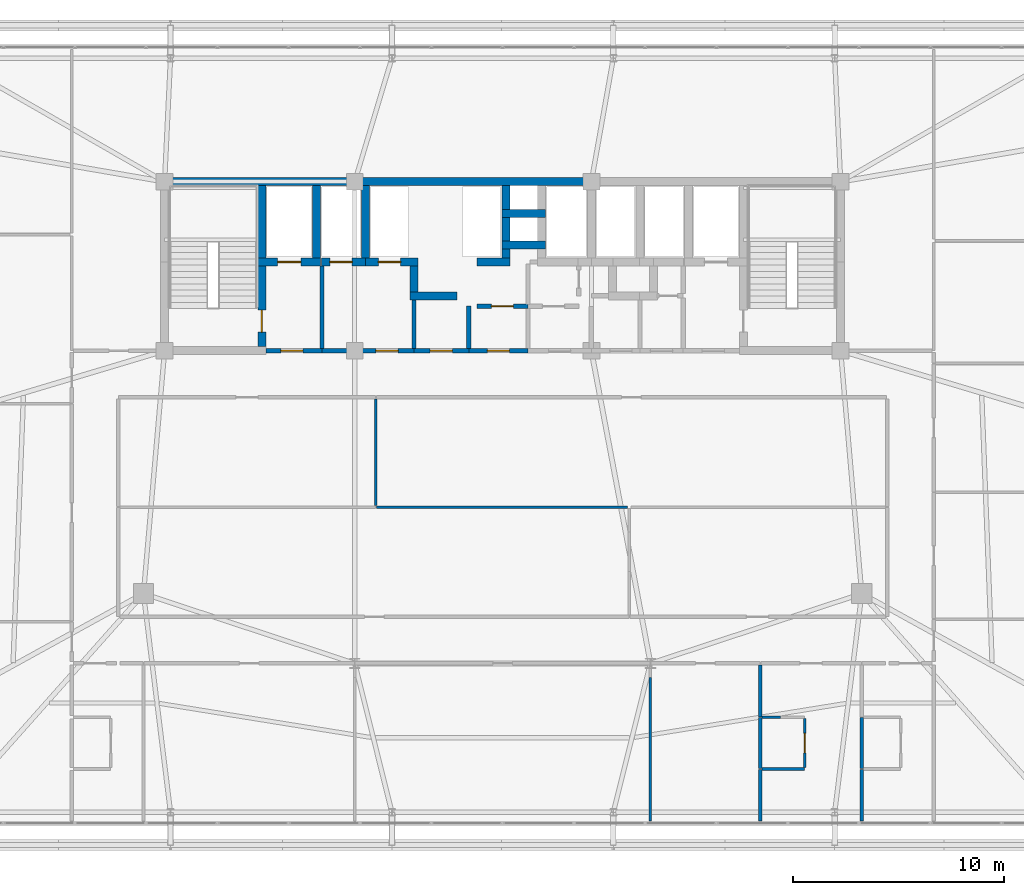
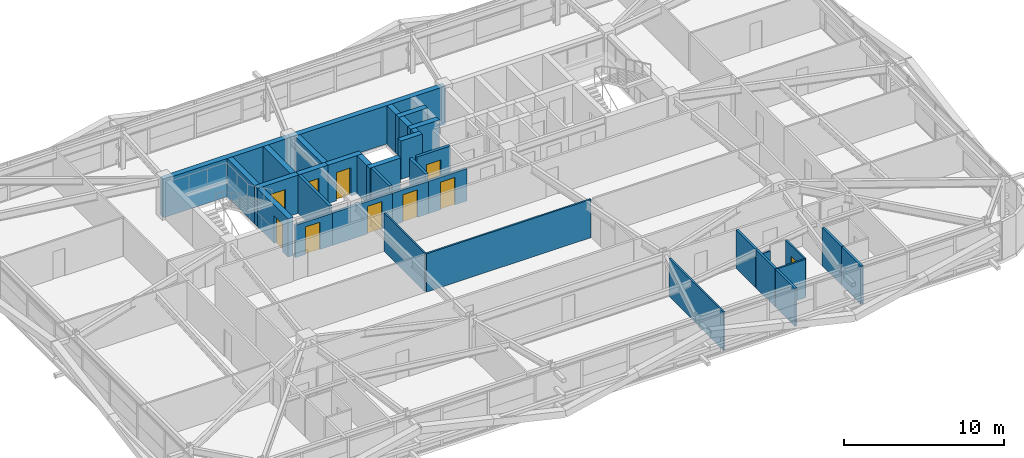
# One storey, part 53 of 59: 36 walls, 10 doors, 10 openings.
"""IFC4 building model written with IfcOpenShell, lengths in metres."""

from ifc_helpers import new_model, si_unit, direction, frame, frame_2d, origin, place, context, subcontext, project, spatial, rectangle, extrude, source, transform, mapped, material, layer, layer_set, type_object, element, fill, save


model = new_model("IFC4")

# Units and contexts
model_context = context("Model", 3, precision=1e-05, world=origin(), true_north=direction((0.0, 1.0)))
body_context = subcontext(model_context, "Body", "Model", "MODEL_VIEW")
ifc_project = project(units=[si_unit("LENGTHUNIT", "METRE"), si_unit("AREAUNIT", "SQUARE_METRE"), si_unit("VOLUMEUNIT", "CUBIC_METRE"), si_unit("PLANEANGLEUNIT", "RADIAN"), si_unit("MASSUNIT", "GRAM", prefix="KILO")], contexts=[model_context])

# Site, building, storey
site_placement = place(None, origin())
site = spatial("IfcSite", under=ifc_project, at=site_placement, CompositionType="ELEMENT")
building_placement = place(site_placement, origin())
building = spatial("IfcBuilding", under=site, at=building_placement, Name="Taldren Reach Tower", CompositionType="ELEMENT")
storey_placement = place(building_placement, frame((0.0, 0.0, 29.39990234375)))
storey = spatial("IfcBuildingStorey", under=building, at=storey_placement, Name="L08", CompositionType="ELEMENT", Elevation=29.39990234375)

# Walls
ifc_material_1 = material(Name="Concrete S80 (80 MPa)", Category="concrete")
ifc_layer_1 = layer(ifc_material_1, 0.3798828125)
ifc_layer_set_1 = layer_set([ifc_layer_1], Name="Concrete S80 (80 MPa)")
wall_type_1 = type_object("IfcWallType", Name="IW-CORE-380", PredefinedType="SHEAR", material=ifc_layer_set_1)
shared_shape_1 = source(origin(), body_context, "Body", "SweptSolid", [
    extrude(rectangle(XDim=9.18994140625, YDim=0.3798828125, at=frame_2d((4.594970703125, 0.0))), origin(), (0.0, 0.0, 1.0), 2.93017578125),
])
wall_1_placement = place(storey_placement, frame((18.81005859375, 32.0, 0.0), z_axis=(0.0, 0.0, 1.0), x_axis=(1.0, 0.0, 0.0)))
element("IfcWall", 1, at=wall_1_placement, inside=storey, type_object=wall_type_1, Name="Rear Core Shear Wall W-CORE-L08-NORTH1", PredefinedType="SHEAR", context=body_context, shape_type="MappedRepresentation", body=[
    mapped(shared_shape_1, transform((0.0, 0.0, 0.0), scale=1.0)),
])
shared_shape_2 = source(origin(), body_context, "Body", "SweptSolid", [
    extrude(rectangle(XDim=11.199951171875, YDim=0.3798828125, at=frame_2d((5.60009765625, 0.0))), origin(), (0.0, 0.0, 1.0), 2.93017578125),
])
wall_2_placement = place(storey_placement, frame((28.0, 32.0, 0.0), z_axis=(0.0, 0.0, 1.0), x_axis=(1.0, 0.0, 0.0)))
element("IfcWall", 2, at=wall_2_placement, inside=storey, type_object=wall_type_1, Name="Rear Core Shear Wall W-CORE-L08-NORTH2", PredefinedType="SHEAR", context=body_context, shape_type="MappedRepresentation", body=[
    mapped(shared_shape_2, transform((0.0, 0.0, 0.0), scale=1.0)),
])
shared_shape_3 = source(origin(), body_context, "Body", "SweptSolid", [
    extrude(rectangle(XDim=3.420166015625, YDim=0.3798828125, at=frame_2d((1.7099609375, 0.0))), origin(), (0.0, 0.0, 1.0), 2.93017578125),
])
for number, where, z_axis, x_axis, name in (
    (3, (23.60009765625, 28.389892578125, 0.0), (0.0, 0.0, 1.0), (0.0, 1.0, 0.0), "Rear Core Shear Wall W-INT-L08-001"),
    (4, (26.199951171875, 28.389892578125, 0.0), (0.0, 0.0, 1.0), (0.0, 1.0, 0.0), "Rear Core Shear Wall W-INT-L08-005"),
    (5, (28.5, 28.389892578125, 0.0), (0.0, 0.0, 1.0), (0.0, 1.0, 0.0), "Rear Core Shear Wall W-INT-L08-030"),
):
    element("IfcWall", number, at=place(storey_placement, frame(where, z_axis=z_axis, x_axis=x_axis)), inside=storey, type_object=wall_type_1, Name=name, PredefinedType="SHEAR", context=body_context, shape_type="MappedRepresentation", body=[
        mapped(shared_shape_3, transform((0.0, 0.0, 0.0), scale=1.0)),
    ])

# Wall, opening, door
shared_shape_4 = source(origin(), body_context, "Body", "SweptSolid", [
    extrude(rectangle(XDim=3.820068359375, YDim=0.3798828125, at=frame_2d((1.91015625, 0.0))), origin(), (0.0, 0.0, 1.0), 2.93017578125),
])
wall_3_placement = place(storey_placement, frame((23.60009765625, 24.18994140625, 0.0), z_axis=(0.0, 0.0, 1.0), x_axis=(0.0, 1.0, 0.0)))
wall_3 = element("IfcWall", 6, at=wall_3_placement, inside=storey, type_object=wall_type_1, Name="Rear Core Shear Wall W-INT-L08-002", PredefinedType="SHEAR", context=body_context, shape_type="MappedRepresentation", body=[
    mapped(shared_shape_4, transform((0.0, 0.0, 0.0), scale=1.0)),
])
shared_shape_5 = source(origin(), body_context, "Body", "SweptSolid", [
    extrude(rectangle(XDim=1.050048828125, YDim=2.10009765625, at=frame_2d((0.52490234375, 1.050048828125))), frame((0.0, 0.199951171875, 0.0), z_axis=(0.0, -1.0, 0.0), x_axis=(1.0, 0.0, 0.0)), (0.0, 0.0, 1.0), 0.39990234375),
])
opening_1_placement = place(wall_3_placement, frame((0.68505859375, 0.0, 0.0)))
opening_1 = element("IfcOpeningElement", 7, at=opening_1_placement, cuts=wall_3, Name="Opening DF-105", PredefinedType="OPENING", context=body_context, shape_type="MappedRepresentation", body=[
    mapped(shared_shape_5, transform((0.0, 0.0, 0.0), scale=1.0)),
])
ifc_material_2 = material(Name="Fire-Rated Care and Stair Exit Door")
door_type_1 = type_object("IfcDoorType", Name="ID-FIRE-105", OperationType="NOTDEFINED", PredefinedType="DOOR", material=ifc_material_2)
shared_shape_6 = source(origin(), body_context, "Body", "SweptSolid", [
    extrude(rectangle(XDim=1.050048828125, YDim=2.10009765625, at=frame_2d((0.52490234375, 1.050048828125))), frame((0.0, 0.02490234375, 0.0), z_axis=(0.0, -1.0, 0.0), x_axis=(1.0, 0.0, 0.0)), (0.0, 0.0, 1.0), 0.050048828125),
])
door_1_placement = place(opening_1_placement, origin())
door_1 = element("IfcDoor", 8, at=door_1_placement, inside=storey, type_object=door_type_1, Name="Fire Exit Stair Door DR-L08-001", OperationType="SINGLE_SWING_LEFT", OverallHeight=2.10009765625, OverallWidth=1.050048828125, PredefinedType="DOOR", context=body_context, shape_type="MappedRepresentation", body=[
    mapped(shared_shape_6, transform((0.0, 0.0, 0.0), scale=1.0)),
])
fill(opening_1, door_1)

shared_shape_7 = source(origin(), body_context, "Body", "SweptSolid", [
    extrude(rectangle(XDim=2.97998046875, YDim=0.3798828125, at=frame_2d((1.489990234375, 0.0))), origin(), (0.0, 0.0, 1.0), 2.93017578125),
])
wall_4_placement = place(storey_placement, frame((23.409912109375, 28.199951171875, 0.0), z_axis=(0.0, 0.0, 1.0), x_axis=(1.0, 0.0, 0.0)))
wall_4 = element("IfcWall", 9, at=wall_4_placement, inside=storey, type_object=wall_type_1, Name="Rear Core Shear Wall W-INT-L08-004", PredefinedType="SHEAR", context=body_context, shape_type="MappedRepresentation", body=[
    mapped(shared_shape_7, transform((0.0, 0.0, 0.0), scale=1.0)),
])
shared_shape_8 = source(origin(), body_context, "Body", "SweptSolid", [
    extrude(rectangle(XDim=1.10009765625, YDim=2.14990234375, at=frame_2d((0.550048828125, 1.074951171875))), frame((0.0, 0.199951171875, 0.0), z_axis=(0.0, -1.0, 0.0), x_axis=(1.0, 0.0, 0.0)), (0.0, 0.0, 1.0), 0.39990234375),
])
opening_2_placement = place(wall_4_placement, frame((0.93994140625, 0.0, 0.0)))
opening_2 = element("IfcOpeningElement", 10, at=opening_2_placement, cuts=wall_4, Name="Opening LD-FL1", PredefinedType="OPENING", context=body_context, shape_type="MappedRepresentation", body=[
    mapped(shared_shape_8, transform((0.0, 0.0, 0.0), scale=1.0)),
])
ifc_material_3 = material(Name="Stainless Steel Gr 316 Emergency Lift Landing Door", Category="steel")
door_type_2 = type_object("IfcDoorType", Name="LD-EMG-110", OperationType="SLIDING_TO_LEFT", PredefinedType="DOOR", material=ifc_material_3)
shared_shape_9 = source(origin(), body_context, "Body", "SweptSolid", [
    extrude(rectangle(XDim=1.10009765625, YDim=2.14990234375, at=frame_2d((0.550048828125, 1.074951171875))), frame((0.0, 0.02490234375, 0.0), z_axis=(0.0, -1.0, 0.0), x_axis=(1.0, 0.0, 0.0)), (0.0, 0.0, 1.0), 0.050048828125),
])
door_2_placement = place(opening_2_placement, origin())
door_2 = element("IfcDoor", 11, at=door_2_placement, inside=storey, type_object=door_type_2, Name="Lift Landing Door LD-FL1-L08", OperationType="SLIDING_TO_LEFT", OverallHeight=2.14990234375, OverallWidth=1.10009765625, PredefinedType="DOOR", context=body_context, shape_type="MappedRepresentation", body=[
    mapped(shared_shape_9, transform((0.0, 0.0, 0.0), scale=1.0)),
])
fill(opening_2, door_2)

# Wall
ifc_material_4 = material(Name="Concrete S50 (50 MPa)", Category="concrete")
ifc_layer_2 = layer(ifc_material_4, 0.199951171875)
ifc_layer_set_2 = layer_set([ifc_layer_2], Name="Concrete S50 (50 MPa)")
wall_type_2 = type_object("IfcWallType", Name="IW-CORE-200", PredefinedType="SOLIDWALL", material=ifc_layer_set_2)
shared_shape_10 = source(origin(), body_context, "Body", "SweptSolid", [
    extrude(rectangle(XDim=3.909912109375, YDim=0.199951171875, at=frame_2d((1.955078125, 0.0))), origin(), (0.0, 0.0, 1.0), 2.93017578125),
])
wall_5_placement = place(storey_placement, frame((26.449951171875, 24.10009765625, 0.0), z_axis=(0.0, 0.0, 1.0), x_axis=(0.0, 1.0, 0.0)))
element("IfcWall", 12, at=wall_5_placement, inside=storey, type_object=wall_type_2, Name="Rear Core Shear Wall W-INT-L08-006", PredefinedType="SOLIDWALL", context=body_context, shape_type="MappedRepresentation", body=[
    mapped(shared_shape_10, transform((0.0, 0.0, 0.0), scale=1.0)),
])

# Wall, opening, door
shared_shape_11 = source(origin(), body_context, "Body", "SweptSolid", [
    extrude(rectangle(XDim=2.659912109375, YDim=0.199951171875, at=frame_2d((1.330078125, 0.0))), origin(), (0.0, 0.0, 1.0), 2.47021484375),
])
wall_6_placement = place(storey_placement, frame((23.7900390625, 24.0, 0.0), z_axis=(0.0, 0.0, 1.0), x_axis=(1.0, 0.0, 0.0)))
wall_6 = element("IfcWall", 13, at=wall_6_placement, inside=storey, type_object=wall_type_2, Name="Rear Core Shear Wall W-INT-L08-007", PredefinedType="SOLIDWALL", context=body_context, shape_type="MappedRepresentation", body=[
    mapped(shared_shape_11, transform((0.0, 0.0, 0.0), scale=1.0)),
])
shared_shape_12 = source(origin(), body_context, "Body", "SweptSolid", [
    extrude(rectangle(XDim=1.050048828125, YDim=2.10009765625, at=frame_2d((0.52490234375, 1.050048828125))), frame((0.0, 0.10986328125, 0.0), z_axis=(0.0, -1.0, 0.0), x_axis=(1.0, 0.0, 0.0)), (0.0, 0.0, 1.0), 0.219970703125),
])
opening_3_placement = place(wall_6_placement, frame((0.7099609375, 0.0, 0.0)))
opening_3 = element("IfcOpeningElement", 14, at=opening_3_placement, cuts=wall_6, Name="Opening DF-105", PredefinedType="OPENING", context=body_context, shape_type="MappedRepresentation", body=[
    mapped(shared_shape_12, transform((0.0, 0.0, 0.0), scale=1.0)),
])
door_3_placement = place(opening_3_placement, origin())
door_3 = element("IfcDoor", 15, at=door_3_placement, inside=storey, type_object=door_type_1, Name="Interior Door DR-L08-002", OperationType="SINGLE_SWING_LEFT", OverallHeight=2.10009765625, OverallWidth=1.050048828125, PredefinedType="DOOR", context=body_context, shape_type="MappedRepresentation", body=[
    mapped(shared_shape_6, transform((0.0, 0.0, 0.0), scale=1.0)),
])
fill(opening_3, door_3)

# Walls
shared_shape_13 = source(origin(), body_context, "Body", "SweptSolid", [
    extrude(rectangle(XDim=2.080078125, YDim=0.3798828125, at=frame_2d((1.0400390625, 0.0))), origin(), (0.0, 0.0, 1.0), 2.93017578125),
])
for number, where, z_axis, x_axis, name in (
    (16, (34.9599609375, 30.5, 0.0), (0.0, 0.0, 1.0), (1.0, 0.0, 0.0), "Rear Core Shear Wall W-INT-L08-016"),
    (17, (34.9599609375, 29.0, 0.0), (0.0, 0.0, 1.0), (1.0, 0.0, 0.0), "Rear Core Shear Wall W-INT-L08-021"),
):
    element("IfcWall", number, at=place(storey_placement, frame(where, z_axis=z_axis, x_axis=x_axis)), inside=storey, type_object=wall_type_1, Name=name, PredefinedType="SHEAR", context=body_context, shape_type="MappedRepresentation", body=[
        mapped(shared_shape_13, transform((0.0, 0.0, 0.0), scale=1.0)),
    ])
shared_shape_14 = source(origin(), body_context, "Body", "SweptSolid", [
    extrude(rectangle(XDim=1.1201171875, YDim=0.3798828125, at=frame_2d((0.56005859375, 0.0))), origin(), (0.0, 0.0, 1.0), 2.93017578125),
])
for number, where, z_axis, x_axis, name in (
    (18, (35.14990234375, 31.81005859375, 0.0), (0.0, 0.0, 1.0), (0.0, -1.0, 0.0), "Rear Core Shear Wall W-INT-L08-017"),
    (19, (35.14990234375, 30.31005859375, 0.0), (0.0, 0.0, 1.0), (0.0, -1.0, 0.0), "Rear Core Shear Wall W-INT-L08-019"),
):
    element("IfcWall", number, at=place(storey_placement, frame(where, z_axis=z_axis, x_axis=x_axis)), inside=storey, type_object=wall_type_1, Name=name, PredefinedType="SHEAR", context=body_context, shape_type="MappedRepresentation", body=[
        mapped(shared_shape_14, transform((0.0, 0.0, 0.0), scale=1.0)),
    ])
shared_shape_15 = source(origin(), body_context, "Body", "SweptSolid", [
    extrude(rectangle(XDim=1.219970703125, YDim=0.3798828125, at=frame_2d((0.60986328125, 0.0))), origin(), (0.0, 0.0, 1.0), 2.93017578125),
])
wall_7_placement = place(storey_placement, frame((30.800048828125, 28.010009765625, 0.0), z_axis=(0.0, 0.0, 1.0), x_axis=(0.0, -1.0, 0.0)))
element("IfcWall", 20, at=wall_7_placement, inside=storey, type_object=wall_type_1, Name="Rear Core Shear Wall W-INT-L08-022", PredefinedType="SHEAR", context=body_context, shape_type="MappedRepresentation", body=[
    mapped(shared_shape_15, transform((0.0, 0.0, 0.0), scale=1.0)),
])
shared_shape_16 = source(origin(), body_context, "Body", "SweptSolid", [
    extrude(rectangle(XDim=2.239990234375, YDim=0.3798828125, at=frame_2d((1.1201171875, 0.0))), origin(), (0.0, 0.0, 1.0), 2.93017578125),
])
wall_8_placement = place(storey_placement, frame((30.610107421875, 26.60009765625, 0.0), z_axis=(0.0, 0.0, 1.0), x_axis=(1.0, 0.0, 0.0)))
element("IfcWall", 21, at=wall_8_placement, inside=storey, type_object=wall_type_1, Name="Rear Core Shear Wall W-INT-L08-023", PredefinedType="SHEAR", context=body_context, shape_type="MappedRepresentation", body=[
    mapped(shared_shape_16, transform((0.0, 0.0, 0.0), scale=1.0)),
])

# Wall, opening, door
shared_shape_17 = source(origin(), body_context, "Body", "SweptSolid", [
    extrude(rectangle(XDim=2.070068359375, YDim=0.3798828125, at=frame_2d((1.03515625, 0.0))), origin(), (0.0, 0.0, 1.0), 2.93017578125),
])
wall_9_placement = place(storey_placement, frame((26.429931640625, 28.199951171875, 0.0), z_axis=(0.0, 0.0, 1.0), x_axis=(1.0, 0.0, 0.0)))
wall_9 = element("IfcWall", 22, at=wall_9_placement, inside=storey, type_object=wall_type_1, Name="Rear Core Shear Wall W-INT-L08-031", PredefinedType="SHEAR", context=body_context, shape_type="MappedRepresentation", body=[
    mapped(shared_shape_17, transform((0.0, 0.0, 0.0), scale=1.0)),
])
shared_shape_18 = source(origin(), body_context, "Body", "SweptSolid", [
    extrude(rectangle(XDim=1.050048828125, YDim=2.14990234375, at=frame_2d((0.52490234375, 1.074951171875))), frame((0.0, 0.199951171875, 0.0), z_axis=(0.0, -1.0, 0.0), x_axis=(1.0, 0.0, 0.0)), (0.0, 0.0, 1.0), 0.39990234375),
])
opening_4_placement = place(wall_9_placement, frame((0.39501953125, 0.0, 0.0)))
opening_4 = element("IfcOpeningElement", 23, at=opening_4_placement, cuts=wall_9, Name="Opening LD-PL1", PredefinedType="OPENING", context=body_context, shape_type="MappedRepresentation", body=[
    mapped(shared_shape_18, transform((0.0, 0.0, 0.0), scale=1.0)),
])
ifc_material_5 = material(Name="Stainless Steel Gr 316 Passenger Lift Landing Door", Category="steel")
door_type_3 = type_object("IfcDoorType", Name="LD-PAS-105", OperationType="SLIDING_TO_LEFT", PredefinedType="DOOR", material=ifc_material_5)
shared_shape_19 = source(origin(), body_context, "Body", "SweptSolid", [
    extrude(rectangle(XDim=1.050048828125, YDim=2.14990234375, at=frame_2d((0.52490234375, 1.074951171875))), frame((0.0, 0.02490234375, 0.0), z_axis=(0.0, -1.0, 0.0), x_axis=(1.0, 0.0, 0.0)), (0.0, 0.0, 1.0), 0.050048828125),
])
door_4_placement = place(opening_4_placement, origin())
door_4 = element("IfcDoor", 24, at=door_4_placement, inside=storey, type_object=door_type_3, Name="Lift Landing Door LD-PL1-L08", OperationType="SLIDING_TO_LEFT", OverallHeight=2.14990234375, OverallWidth=1.050048828125, PredefinedType="DOOR", context=body_context, shape_type="MappedRepresentation", body=[
    mapped(shared_shape_19, transform((0.0, 0.0, 0.0), scale=1.0)),
])
fill(opening_4, door_4)

shared_shape_20 = source(origin(), body_context, "Body", "SweptSolid", [
    extrude(rectangle(XDim=2.489990234375, YDim=0.3798828125, at=frame_2d((1.2451171875, 0.0))), origin(), (0.0, 0.0, 1.0), 2.93017578125),
])
wall_10_placement = place(storey_placement, frame((28.5, 28.199951171875, 0.0), z_axis=(0.0, 0.0, 1.0), x_axis=(1.0, 0.0, 0.0)))
wall_10 = element("IfcWall", 25, at=wall_10_placement, inside=storey, type_object=wall_type_1, Name="Rear Core Shear Wall W-INT-L08-032", PredefinedType="SHEAR", context=body_context, shape_type="MappedRepresentation", body=[
    mapped(shared_shape_20, transform((0.0, 0.0, 0.0), scale=1.0)),
])
opening_5_placement = place(wall_10_placement, frame((0.625, 0.0, 0.0)))
opening_5 = element("IfcOpeningElement", 26, at=opening_5_placement, cuts=wall_10, Name="Opening LD-PL2", PredefinedType="OPENING", context=body_context, shape_type="MappedRepresentation", body=[
    mapped(shared_shape_18, transform((0.0, 0.0, 0.0), scale=1.0)),
])
door_5_placement = place(opening_5_placement, origin())
door_5 = element("IfcDoor", 27, at=door_5_placement, inside=storey, type_object=door_type_3, Name="Lift Landing Door LD-PL2-L08", OperationType="SLIDING_TO_LEFT", OverallHeight=2.14990234375, OverallWidth=1.050048828125, PredefinedType="DOOR", context=body_context, shape_type="MappedRepresentation", body=[
    mapped(shared_shape_19, transform((0.0, 0.0, 0.0), scale=1.0)),
])
fill(opening_5, door_5)

# Wall
shared_shape_21 = source(origin(), body_context, "Body", "SweptSolid", [
    extrude(rectangle(XDim=2.309814453125, YDim=0.199951171875, at=frame_2d((1.15478515625, 0.0))), origin(), (0.0, 0.0, 1.0), 2.93017578125),
])
wall_11_placement = place(storey_placement, frame((30.800048828125, 26.409912109375, 0.0), z_axis=(0.0, 0.0, 1.0), x_axis=(0.0, -1.0, 0.0)))
element("IfcWall", 28, at=wall_11_placement, inside=storey, type_object=wall_type_2, Name="Rear Core Shear Wall W-INT-L08-033", PredefinedType="SOLIDWALL", context=body_context, shape_type="MappedRepresentation", body=[
    mapped(shared_shape_21, transform((0.0, 0.0, 0.0), scale=1.0)),
])

# Wall, opening, door
shared_shape_22 = source(origin(), body_context, "Body", "SweptSolid", [
    extrude(rectangle(XDim=4.35009765625, YDim=0.199951171875, at=frame_2d((2.175048828125, 0.0))), origin(), (0.0, 0.0, 1.0), 2.47021484375),
])
wall_12_placement = place(storey_placement, frame((30.800048828125, 24.0, 0.0), z_axis=(0.0, 0.0, 1.0), x_axis=(-1.0, 0.0, 0.0)))
wall_12 = element("IfcWall", 29, at=wall_12_placement, inside=storey, type_object=wall_type_2, Name="Rear Core Shear Wall W-INT-L08-034", PredefinedType="SOLIDWALL", context=body_context, shape_type="MappedRepresentation", body=[
    mapped(shared_shape_22, transform((0.0, 0.0, 0.0), scale=1.0)),
])
opening_6_placement = place(wall_12_placement, frame((0.75, 0.0, 0.0)))
opening_6 = element("IfcOpeningElement", 30, at=opening_6_placement, cuts=wall_12, Name="Opening DF-105", PredefinedType="OPENING", context=body_context, shape_type="MappedRepresentation", body=[
    mapped(shared_shape_12, transform((0.0, 0.0, 0.0), scale=1.0)),
])
door_6_placement = place(opening_6_placement, frame((1.050048828125, 0.0, 0.0), z_axis=(0.0, 0.0, 1.0), x_axis=(-1.0, 0.0, 0.0)))
door_6 = element("IfcDoor", 31, at=door_6_placement, inside=storey, type_object=door_type_1, Name="Interior Door DR-L08-005", OperationType="SINGLE_SWING_RIGHT", OverallHeight=2.10009765625, OverallWidth=1.050048828125, PredefinedType="DOOR", context=body_context, shape_type="MappedRepresentation", body=[
    mapped(shared_shape_6, transform((0.0, 0.0, 0.0), scale=1.0)),
])
fill(opening_6, door_6)

# Walls
shared_shape_23 = source(origin(), body_context, "Body", "SweptSolid", [
    extrude(rectangle(XDim=1.56005859375, YDim=0.3798828125, at=frame_2d((0.780029296875, 0.0))), origin(), (0.0, 0.0, 1.0), 2.93017578125),
])
wall_13_placement = place(storey_placement, frame((33.780029296875, 28.199951171875, 0.0), z_axis=(0.0, 0.0, 1.0), x_axis=(1.0, 0.0, 0.0)))
element("IfcWall", 32, at=wall_13_placement, inside=storey, type_object=wall_type_1, Name="Rear Core Shear Wall W-INT-L08-035", PredefinedType="SHEAR", context=body_context, shape_type="MappedRepresentation", body=[
    mapped(shared_shape_23, transform((0.0, 0.0, 0.0), scale=1.0)),
])
shared_shape_24 = source(origin(), body_context, "Body", "SweptSolid", [
    extrude(rectangle(XDim=0.420166015625, YDim=0.3798828125, at=frame_2d((0.2099609375, 0.0))), origin(), (0.0, 0.0, 1.0), 2.93017578125),
])
wall_14_placement = place(storey_placement, frame((35.14990234375, 28.389892578125, 0.0), z_axis=(0.0, 0.0, 1.0), x_axis=(0.0, 1.0, 0.0)))
element("IfcWall", 33, at=wall_14_placement, inside=storey, type_object=wall_type_1, Name="Rear Core Shear Wall W-INT-L08-036", PredefinedType="SHEAR", context=body_context, shape_type="MappedRepresentation", body=[
    mapped(shared_shape_24, transform((0.0, 0.0, 0.0), scale=1.0)),
])
shared_shape_25 = source(origin(), body_context, "Body", "SweptSolid", [
    extrude(rectangle(XDim=2.02001953125, YDim=0.199951171875, at=frame_2d((1.010009765625, 0.0))), origin(), (0.0, 0.0, 1.0), 2.93017578125),
])
wall_15_placement = place(storey_placement, frame((33.39990234375, 26.1201171875, 0.0), z_axis=(0.0, 0.0, 1.0), x_axis=(0.0, -1.0, 0.0)))
element("IfcWall", 34, at=wall_15_placement, inside=storey, type_object=wall_type_2, Name="Rear Core Shear Wall W-INT-L08-044", PredefinedType="SOLIDWALL", context=body_context, shape_type="MappedRepresentation", body=[
    mapped(shared_shape_25, transform((0.0, 0.0, 0.0), scale=1.0)),
])

# Wall, opening, door
shared_shape_26 = source(origin(), body_context, "Body", "SweptSolid", [
    extrude(rectangle(XDim=2.599853515625, YDim=0.199951171875, at=frame_2d((1.2998046875, 0.0))), origin(), (0.0, 0.0, 1.0), 2.47021484375),
])
wall_16_placement = place(storey_placement, frame((33.39990234375, 24.0, 0.0), z_axis=(0.0, 0.0, 1.0), x_axis=(-1.0, 0.0, 0.0)))
wall_16 = element("IfcWall", 35, at=wall_16_placement, inside=storey, type_object=wall_type_2, Name="Rear Core Shear Wall W-INT-L08-045", PredefinedType="SOLIDWALL", context=body_context, shape_type="MappedRepresentation", body=[
    mapped(shared_shape_26, transform((0.0, 0.0, 0.0), scale=1.0)),
])
opening_7_placement = place(wall_16_placement, frame((0.77490234375, 0.0, 0.0)))
opening_7 = element("IfcOpeningElement", 36, at=opening_7_placement, cuts=wall_16, Name="Opening DF-105", PredefinedType="OPENING", context=body_context, shape_type="MappedRepresentation", body=[
    mapped(shared_shape_12, transform((0.0, 0.0, 0.0), scale=1.0)),
])
door_7_placement = place(opening_7_placement, frame((1.050048828125, 0.0, 0.0), z_axis=(0.0, 0.0, 1.0), x_axis=(-1.0, 0.0, 0.0)))
door_7 = element("IfcDoor", 37, at=door_7_placement, inside=storey, type_object=door_type_1, Name="Interior Door DR-L08-006", OperationType="SINGLE_SWING_RIGHT", OverallHeight=2.10009765625, OverallWidth=1.050048828125, PredefinedType="DOOR", context=body_context, shape_type="MappedRepresentation", body=[
    mapped(shared_shape_6, transform((0.0, 0.0, 0.0), scale=1.0)),
])
fill(opening_7, door_7)

shared_shape_27 = source(origin(), body_context, "Body", "SweptSolid", [
    extrude(rectangle(XDim=2.419921875, YDim=0.199951171875, at=frame_2d((1.2099609375, 0.0))), origin(), (0.0, 0.0, 1.0), 2.93017578125),
])
wall_17_placement = place(storey_placement, frame((33.780029296875, 26.10009765625, 0.0), z_axis=(0.0, 0.0, 1.0), x_axis=(1.0, 0.0, 0.0)))
wall_17 = element("IfcWall", 38, at=wall_17_placement, inside=storey, type_object=wall_type_2, Name="Rear Core Shear Wall W-INT-L08-046", PredefinedType="SOLIDWALL", context=body_context, shape_type="MappedRepresentation", body=[
    mapped(shared_shape_27, transform((0.0, 0.0, 0.0), scale=1.0)),
])
opening_8_placement = place(wall_17_placement, frame((0.68505859375, 0.0, 0.0)))
opening_8 = element("IfcOpeningElement", 39, at=opening_8_placement, cuts=wall_17, Name="Opening DF-105", PredefinedType="OPENING", context=body_context, shape_type="MappedRepresentation", body=[
    mapped(shared_shape_12, transform((0.0, 0.0, 0.0), scale=1.0)),
])
door_8_placement = place(opening_8_placement, origin())
door_8 = element("IfcDoor", 40, at=door_8_placement, inside=storey, type_object=door_type_1, Name="Interior Door DR-L08-007", OperationType="SINGLE_SWING_RIGHT", OverallHeight=2.10009765625, OverallWidth=1.050048828125, PredefinedType="DOOR", context=body_context, shape_type="MappedRepresentation", body=[
    mapped(shared_shape_6, transform((0.0, 0.0, 0.0), scale=1.0)),
])
fill(opening_8, door_8)

shared_shape_28 = source(origin(), body_context, "Body", "SweptSolid", [
    extrude(rectangle(XDim=2.800048828125, YDim=0.199951171875, at=frame_2d((1.39990234375, 0.0))), origin(), (0.0, 0.0, 1.0), 2.47021484375),
])
wall_18_placement = place(storey_placement, frame((36.199951171875, 24.0, 0.0), z_axis=(0.0, 0.0, 1.0), x_axis=(-1.0, 0.0, 0.0)))
wall_18 = element("IfcWall", 41, at=wall_18_placement, inside=storey, type_object=wall_type_2, Name="Rear Core Shear Wall W-INT-L08-048", PredefinedType="SOLIDWALL", context=body_context, shape_type="MappedRepresentation", body=[
    mapped(shared_shape_28, transform((0.0, 0.0, 0.0), scale=1.0)),
])
opening_9_placement = place(wall_18_placement, frame((0.875, 0.0, 0.0)))
opening_9 = element("IfcOpeningElement", 42, at=opening_9_placement, cuts=wall_18, Name="Opening DF-105", PredefinedType="OPENING", context=body_context, shape_type="MappedRepresentation", body=[
    mapped(shared_shape_12, transform((0.0, 0.0, 0.0), scale=1.0)),
])
door_9_placement = place(opening_9_placement, frame((1.050048828125, 0.0, 0.0), z_axis=(0.0, 0.0, 1.0), x_axis=(-1.0, 0.0, 0.0)))
door_9 = element("IfcDoor", 43, at=door_9_placement, inside=storey, type_object=door_type_1, Name="Interior Door DR-L08-008", OperationType="SINGLE_SWING_RIGHT", OverallHeight=2.10009765625, OverallWidth=1.050048828125, PredefinedType="DOOR", context=body_context, shape_type="MappedRepresentation", body=[
    mapped(shared_shape_6, transform((0.0, 0.0, 0.0), scale=1.0)),
])
fill(opening_9, door_9)

# Walls
ifc_material_6 = material(Name="Insulated Residential Stud Partition", Category="gypsum")
ifc_layer_3 = layer(ifc_material_6, 0.1201171875)
ifc_layer_set_3 = layer_set([ifc_layer_3], Name="Insulated Residential Stud Partition")
wall_type_3 = type_object("IfcWallType", Name="IW-PART-120", PredefinedType="PARTITIONING", material=ifc_layer_set_3)
shared_shape_29 = source(origin(), body_context, "Body", "SweptSolid", [
    extrude(rectangle(XDim=11.899658203125, YDim=0.1201171875, at=frame_2d((5.94970703125, 0.0))), origin(), (0.0, 0.0, 1.0), 2.93017578125),
])
wall_19_placement = place(storey_placement, frame((29.020263671875, 16.60009765625, 0.0), z_axis=(0.0, 0.0, 1.0), x_axis=(1.0, 0.0, 0.0)))
element("IfcWall", 44, at=wall_19_placement, inside=storey, type_object=wall_type_3, Name="Interior Partition Wall W-INT-L08-087", PredefinedType="PARTITIONING", context=body_context, shape_type="MappedRepresentation", body=[
    mapped(shared_shape_29, transform((0.0, 0.0, 0.0), scale=1.0)),
])
shared_shape_30 = source(origin(), body_context, "Body", "SweptSolid", [
    extrude(rectangle(XDim=5.0400390625, YDim=0.1201171875, at=frame_2d((2.52001953125, 0.0))), origin(), (0.0, 0.0, 1.0), 2.93017578125),
])
wall_20_placement = place(storey_placement, frame((29.0, 21.719970703125, 0.0), z_axis=(0.0, 0.0, 1.0), x_axis=(0.0, -1.0, 0.0)))
element("IfcWall", 45, at=wall_20_placement, inside=storey, type_object=wall_type_3, Name="Interior Partition Wall W-INT-L08-089", PredefinedType="PARTITIONING", context=body_context, shape_type="MappedRepresentation", body=[
    mapped(shared_shape_30, transform((0.0, 0.0, 0.0), scale=1.0)),
])

# Wall, opening, door
shared_shape_31 = source(origin(), body_context, "Body", "SweptSolid", [
    extrude(rectangle(XDim=2.330078125, YDim=0.1201171875, at=frame_2d((1.1650390625, 0.0))), origin(), (0.0, 0.0, 1.0), 2.93017578125),
])
wall_21_placement = place(storey_placement, frame((49.31201171875, 4.260009765625, 0.0), z_axis=(0.0, 0.0, 1.0), x_axis=(0.0, 1.0, 0.0)))
wall_21 = element("IfcWall", 46, at=wall_21_placement, inside=storey, type_object=wall_type_3, Name="Interior Partition Wall W-INT-L08-102", PredefinedType="PARTITIONING", context=body_context, shape_type="MappedRepresentation", body=[
    mapped(shared_shape_31, transform((0.0, 0.0, 0.0), scale=1.0)),
])
shared_shape_32 = source(origin(), body_context, "Body", "SweptSolid", [
    extrude(rectangle(XDim=0.919921875, YDim=2.10009765625, at=frame_2d((0.4599609375, 1.050048828125))), frame((0.0, 0.070068359375, 0.0), z_axis=(0.0, -1.0, 0.0), x_axis=(1.0, 0.0, 0.0)), (0.0, 0.0, 1.0), 0.14013671875),
])
opening_10_placement = place(wall_21_placement, frame((0.705078125, 0.0, 0.0)))
opening_10 = element("IfcOpeningElement", 47, at=opening_10_placement, cuts=wall_21, Name="Opening DI-092", PredefinedType="OPENING", context=body_context, shape_type="MappedRepresentation", body=[
    mapped(shared_shape_32, transform((0.0, 0.0, 0.0), scale=1.0)),
])
ifc_material_7 = material(Name="Solid-Core Timber Suite Door", Category="wood")
door_type_4 = type_object("IfcDoorType", Name="ID-INT-092", OperationType="NOTDEFINED", PredefinedType="DOOR", material=ifc_material_7)
shared_shape_33 = source(origin(), body_context, "Body", "SweptSolid", [
    extrude(rectangle(XDim=0.919921875, YDim=2.10009765625, at=frame_2d((0.4599609375, 1.050048828125))), frame((0.0, 0.02490234375, 0.0), z_axis=(0.0, -1.0, 0.0), x_axis=(1.0, 0.0, 0.0)), (0.0, 0.0, 1.0), 0.050048828125),
])
door_10_placement = place(opening_10_placement, origin())
door_10 = element("IfcDoor", 48, at=door_10_placement, inside=storey, type_object=door_type_4, Name="Interior Door DR-L08-032", OperationType="SINGLE_SWING_LEFT", OverallHeight=2.10009765625, OverallWidth=0.919921875, PredefinedType="DOOR", context=body_context, shape_type="MappedRepresentation", body=[
    mapped(shared_shape_33, transform((0.0, 0.0, 0.0), scale=1.0)),
])
fill(opening_10, door_10)

# Walls
shared_shape_34 = source(origin(), body_context, "Body", "SweptSolid", [
    extrude(rectangle(XDim=6.79833984375, YDim=0.1201171875, at=frame_2d((3.399169921875, 0.0))), origin(), (0.0, 0.0, 1.0), 2.93017578125),
])
wall_22_placement = place(storey_placement, frame((42.0, 8.5283203125, 0.0), z_axis=(0.0, 0.0, 1.0), x_axis=(0.0, -1.0, 0.0)))
element("IfcWall", 49, at=wall_22_placement, inside=storey, type_object=wall_type_3, Name="Interior Partition Wall W-INT-L08-098 part 2", PredefinedType="PARTITIONING", context=body_context, shape_type="MappedRepresentation", body=[
    mapped(shared_shape_34, transform((0.0, 0.0, 0.0), scale=1.0)),
])
ifc_material_8 = material(Name="Fire-Rated Acoustic Plasterboard Stud Wall", Category="gypsum")
ifc_layer_4 = layer(ifc_material_8, 0.159912109375)
ifc_layer_set_4 = layer_set([ifc_layer_4], Name="Fire-Rated Acoustic Plasterboard Stud Wall")
wall_type_4 = type_object("IfcWallType", Name="IW-FIRE-160", PredefinedType="PARTITIONING", material=ifc_layer_set_4)
shared_shape_35 = source(origin(), body_context, "Body", "SweptSolid", [
    extrude(rectangle(XDim=2.44970703125, YDim=0.159912109375, at=frame_2d((1.224853515625, 0.0))), origin(), (0.0, 0.0, 1.0), 2.93017578125),
])
wall_23_placement = place(storey_placement, frame((47.199951171875, 4.1796875, 0.0), z_axis=(0.0, 0.0, 1.0), x_axis=(0.0, -1.0, 0.0)))
element("IfcWall", 50, at=wall_23_placement, inside=storey, type_object=wall_type_4, Name="Interior Partition Wall W-INT-L08-099", PredefinedType="PARTITIONING", context=body_context, shape_type="MappedRepresentation", body=[
    mapped(shared_shape_35, transform((0.0, 0.0, 0.0), scale=1.0)),
])
shared_shape_36 = source(origin(), body_context, "Body", "SweptSolid", [
    extrude(rectangle(XDim=2.449951171875, YDim=0.159912109375, at=frame_2d((1.22509765625, 0.0))), origin(), (0.0, 0.0, 1.0), 2.93017578125),
])
wall_24_placement = place(storey_placement, frame((47.199951171875, 9.1201171875, 0.0), z_axis=(0.0, 0.0, 1.0), x_axis=(0.0, -1.0, 0.0)))
element("IfcWall", 51, at=wall_24_placement, inside=storey, type_object=wall_type_4, Name="Interior Partition Wall W-INT-L08-100", PredefinedType="PARTITIONING", context=body_context, shape_type="MappedRepresentation", body=[
    mapped(shared_shape_36, transform((0.0, 0.0, 0.0), scale=1.0)),
])
shared_shape_37 = source(origin(), body_context, "Body", "SweptSolid", [
    extrude(rectangle(XDim=2.40966796875, YDim=0.159912109375, at=frame_2d((1.204833984375, 0.0))), origin(), (0.0, 0.0, 1.0), 2.93017578125),
])
for number, where, z_axis, x_axis, name in (
    (52, (47.199951171875, 6.6298828125, 0.0), (0.0, 0.0, 1.0), (0.0, -1.0, 0.0), "Interior Partition Wall W-INT-L08-101"),
    (53, (52.0, 6.6298828125, 0.0), (0.0, 0.0, 1.0), (0.0, -1.0, 0.0), "Interior Partition Wall W-INT-L08-107"),
):
    element("IfcWall", number, at=place(storey_placement, frame(where, z_axis=z_axis, x_axis=x_axis)), inside=storey, type_object=wall_type_4, Name=name, PredefinedType="PARTITIONING", context=body_context, shape_type="MappedRepresentation", body=[
        mapped(shared_shape_37, transform((0.0, 0.0, 0.0), scale=1.0)),
    ])
shared_shape_38 = source(origin(), body_context, "Body", "SweptSolid", [
    extrude(rectangle(XDim=2.01171875, YDim=0.1201171875, at=frame_2d((1.005859375, 0.0))), origin(), (0.0, 0.0, 1.0), 2.93017578125),
])
wall_25_placement = place(storey_placement, frame((47.280029296875, 4.199951171875, 0.0), z_axis=(0.0, 0.0, 1.0), x_axis=(1.0, 0.0, 0.0)))
element("IfcWall", 54, at=wall_25_placement, inside=storey, type_object=wall_type_3, Name="Interior Partition Wall W-INT-L08-103", PredefinedType="PARTITIONING", context=body_context, shape_type="MappedRepresentation", body=[
    mapped(shared_shape_38, transform((0.0, 0.0, 0.0), scale=1.0)),
])
shared_shape_39 = source(origin(), body_context, "Body", "SweptSolid", [
    extrude(rectangle(XDim=0.863525390625, YDim=0.1201171875, at=frame_2d((0.431640625, 0.0))), origin(), (0.0, 0.0, 1.0), 2.47021484375),
])
wall_26_placement = place(storey_placement, frame((48.1435546875, 6.64990234375, 0.0), z_axis=(0.0, 0.0, 1.0), x_axis=(-1.0, 0.0, 0.0)))
element("IfcWall", 55, at=wall_26_placement, inside=storey, type_object=wall_type_3, Name="Interior Partition Wall W-INT-L08-104 part 2", PredefinedType="PARTITIONING", context=body_context, shape_type="MappedRepresentation", body=[
    mapped(shared_shape_39, transform((0.0, 0.0, 0.0), scale=1.0)),
])
shared_shape_40 = source(origin(), body_context, "Body", "SweptSolid", [
    extrude(rectangle(XDim=2.44775390625, YDim=0.159912109375, at=frame_2d((1.223876953125, 0.0))), origin(), (0.0, 0.0, 1.0), 2.93017578125),
])
wall_27_placement = place(storey_placement, frame((52.0, 4.1796875, 0.0), z_axis=(0.0, 0.0, 1.0), x_axis=(0.0, -1.0, 0.0)))
element("IfcWall", 56, at=wall_27_placement, inside=storey, type_object=wall_type_4, Name="Interior Partition Wall W-INT-L08-105", PredefinedType="PARTITIONING", context=body_context, shape_type="MappedRepresentation", body=[
    mapped(shared_shape_40, transform((0.0, 0.0, 0.0), scale=1.0)),
])

save(model, "model.ifc")
